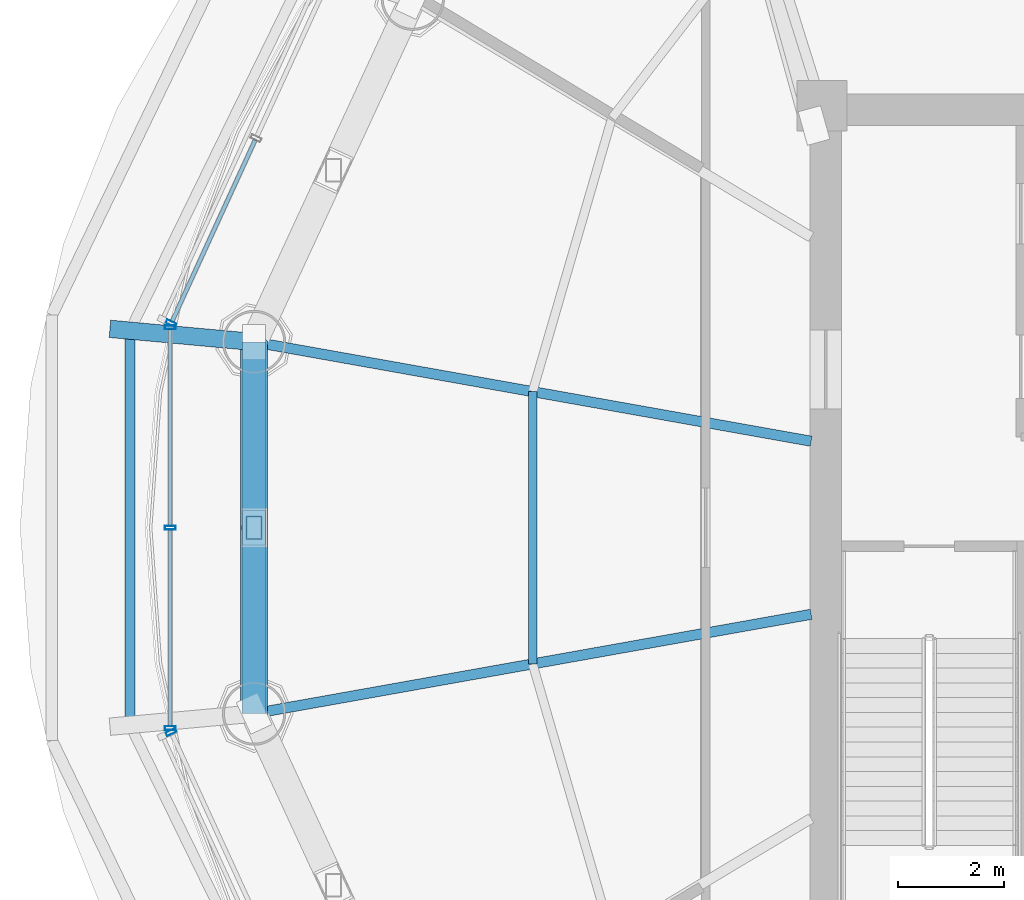
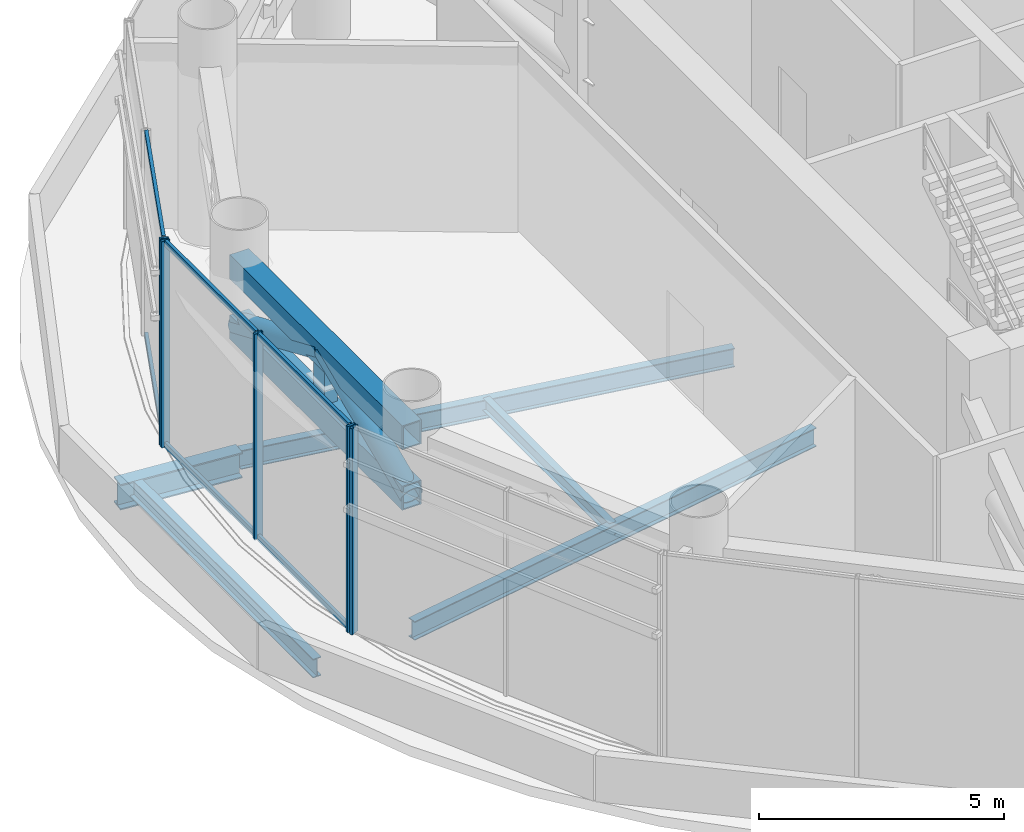
# One storey, part 7 of 25: 16 members, 5 beams, 3 elements without a shape of their own.
"""IFC4 building model written with IfcOpenShell, lengths in metres."""

from ifc_helpers import new_model, si_unit, direction, frame, origin, origin_2d, place, context, subcontext, project, spatial, hollow_rectangle, hollow_circle, i_section, extrude, source, transform, mapped, material, material_profile, profile_set, type_object, element, aggregate, save


model = new_model("IFC4")

# Units and contexts
model_context = context("Model", 3, precision=1e-05, world=origin(), true_north=direction((-0.2419218956, 0.970295726276)))
body_context = subcontext(model_context, "Body", "Model", "MODEL_VIEW")
ifc_project = project(units=[si_unit("LENGTHUNIT", "METRE"), si_unit("AREAUNIT", "SQUARE_METRE"), si_unit("VOLUMEUNIT", "CUBIC_METRE"), si_unit("PLANEANGLEUNIT", "RADIAN"), si_unit("MASSUNIT", "GRAM", prefix="KILO")], contexts=[model_context])

# Site, building, storey
site_placement = place(None, origin())
site = spatial("IfcSite", under=ifc_project, at=site_placement, CompositionType="ELEMENT")
building_placement = place(site_placement, origin())
building = spatial("IfcBuilding", under=site, at=building_placement, Name="Cobrevalo Terracotta Tower", CompositionType="ELEMENT")
storey_placement = place(building_placement, frame((0.0, 0.0, 185.800048828125)))
storey = spatial("IfcBuildingStorey", under=building, at=storey_placement, Name="L49", CompositionType="ELEMENT", Elevation=185.800048828125)

# Beams
ifc_material_1 = material(Name="Steel S355", Category="steel")
ifc_material_profile_1 = material_profile(ifc_material_1, i_section(OverallWidth=0.194091796875, OverallDepth=0.468994140625, WebThickness=0.011474609375, FlangeThickness=0.0205078125, at=origin_2d()), Name="W 460x106")
ifc_profile_set_1 = profile_set([ifc_material_profile_1], Name="Steel S355")
beam_type_1 = type_object("IfcBeamType", Name="Structural Beam W 460x106 (Steel S355)", PredefinedType="BEAM", material=ifc_profile_set_1)
for number, where, z_axis, x_axis, name in (
    (1, (18.237060546875, 30.3212890625, -0.6845703125), (0.984495741673, -0.175408479352, 0.0), (0.175408479352, 0.984495741673, 0.0), "L49 radial floor girder 08"),
    (2, (18.237060546875, 23.278564453125, -0.6845703125), (0.984491810085, 0.175430544306, 0.0), (-0.175430544306, 0.984491810085, 0.0), "L49 radial floor girder 09"),
):
    element("IfcBeam", number, at=place(storey_placement, frame(where, z_axis=z_axis, x_axis=x_axis)), inside=storey, type_object=beam_type_1, Name=name, PredefinedType="BEAM", context=body_context, shape_type="SweptSolid", body=[
        extrude(i_section(OverallWidth=0.194091796875, OverallDepth=0.468994140625, WebThickness=0.011474609375, FlangeThickness=0.0205078125, at=origin_2d()), origin(), (0.0, 0.0, 1.0), 10.72412109375),
    ])
ifc_material_profile_2 = material_profile(ifc_material_1, i_section(OverallWidth=0.3291015625, OverallDepth=0.635009765625, WebThickness=0.017822265625, FlangeThickness=0.031005859375, at=origin_2d()), Name="W 610x241")
ifc_profile_set_2 = profile_set([ifc_material_profile_2], Name="Steel S355")
beam_type_2 = type_object("IfcBeamType", Name="Structural Beam W 610x241 (Steel S355)", PredefinedType="BEAM", material=ifc_profile_set_2)
beam_1_placement = place(storey_placement, frame((15.5048828125, 30.570556640625, -0.767578125), z_axis=(0.995863978382, -0.090856681434, 0.0), x_axis=(0.090856681434, 0.995863978382, 0.0)))
element("IfcBeam", 3, at=beam_1_placement, inside=storey, type_object=beam_type_2, Name="L49 setback step-link girder 08", PredefinedType="BEAM", context=body_context, shape_type="SweptSolid", body=[
    extrude(i_section(OverallWidth=0.3291015625, OverallDepth=0.635009765625, WebThickness=0.017822265625, FlangeThickness=0.031005859375, at=origin_2d()), origin(), (0.0, 0.0, 1.0), 2.743408203125),
])
ifc_material_profile_3 = material_profile(ifc_material_1, i_section(OverallWidth=0.1650390625, OverallDepth=0.31005859375, WebThickness=0.005859375, FlangeThickness=0.009765625, at=origin_2d()), Name="W 310x38.7")
ifc_profile_set_3 = profile_set([ifc_material_profile_3], Name="Steel S355")
beam_type_3 = type_object("IfcBeamType", Name="Structural Joist W 310x38.7 (Steel S355)", PredefinedType="JOIST", material=ifc_profile_set_3)
beam_2_placement = place(storey_placement, frame((23.51611328125, 29.380859375, -0.60498046875), z_axis=(0.0, -1.0, 0.0), x_axis=(1.0, 0.0, 0.0)))
element("IfcBeam", 4, at=beam_2_placement, inside=storey, type_object=beam_type_3, Name="L49 circumferential secondary floor joist 08", PredefinedType="JOIST", context=body_context, shape_type="SweptSolid", body=[
    extrude(i_section(OverallWidth=0.1650390625, OverallDepth=0.31005859375, WebThickness=0.005859375, FlangeThickness=0.009765625, at=origin_2d()), origin(), (0.0, 0.0, 1.0), 5.16162109375),
])
ifc_material_profile_4 = material_profile(ifc_material_1, i_section(OverallWidth=0.194091796875, OverallDepth=0.468994140625, WebThickness=0.011474609375, FlangeThickness=0.0205078125, at=origin_2d()), Name="W 460x106")
ifc_profile_set_4 = profile_set([ifc_material_profile_4], Name="Steel S355")
beam_type_4 = type_object("IfcBeamType", Name="Structural Spandrel W 460x106 (Steel S355)", PredefinedType="SPANDREL", material=ifc_profile_set_4)
beam_3_placement = place(storey_placement, frame((15.88330078125, 30.535888671875, -0.6845703125), z_axis=(0.0, -1.0, 0.0), x_axis=(1.0, 0.0, 0.0)))
element("IfcBeam", 5, at=beam_3_placement, inside=storey, type_object=beam_type_4, Name="L49 perimeter ring spandrel 08", PredefinedType="SPANDREL", context=body_context, shape_type="SweptSolid", body=[
    extrude(i_section(OverallWidth=0.194091796875, OverallDepth=0.468994140625, WebThickness=0.011474609375, FlangeThickness=0.0205078125, at=origin_2d()), origin(), (0.0, 0.0, 1.0), 7.471923828125),
])

# Members
ifc_material_profile_5 = material_profile(ifc_material_1, hollow_rectangle(XDim=0.300048828125, YDim=0.449951171875, WallThickness=0.02001953125, at=origin_2d()), Name="RHS 450x300x20")
ifc_profile_set_5 = profile_set([ifc_material_profile_5], Name="Steel S355")
member_type_1 = type_object("IfcMemberType", Name="Steel Post RHS 450x300x20 (Steel S355)", PredefinedType="POST", material=ifc_profile_set_5)
shared_shape_1 = source(origin(), body_context, "Body", "SweptSolid", [
    extrude(hollow_rectangle(XDim=0.300048828125, YDim=0.449951171875, WallThickness=0.02001953125, at=origin_2d()), origin(), (0.0, 0.0, 1.0), 1.505126953125),
])
member_1_placement = place(storey_placement, frame((18.237060546875, 26.800048828125, 2.64990234375), z_axis=(0.0, 0.0, 1.0), x_axis=(1.0, 0.0, 0.0)))
element("IfcMember", 6, at=member_1_placement, inside=storey, type_object=member_type_1, Name="L49 belt truss post 08", PredefinedType="POST", context=body_context, shape_type="MappedRepresentation", body=[
    mapped(shared_shape_1, transform((0.0, 0.0, 0.0), scale=1.0)),
])
ifc_material_profile_6 = material_profile(ifc_material_1, hollow_rectangle(XDim=0.449951171875, YDim=0.60009765625, WallThickness=0.028076171875, at=origin_2d()), Name="RHS 600x450x28")
ifc_profile_set_6 = profile_set([ifc_material_profile_6], Name="Steel S355")
member_type_2 = type_object("IfcMemberType", Name="Steel Chord RHS 600x450x28 (Steel S355)", PredefinedType="CHORD", material=ifc_profile_set_6)
shared_shape_2 = source(origin(), body_context, "Body", "SweptSolid", [
    extrude(hollow_rectangle(XDim=0.449951171875, YDim=0.60009765625, WallThickness=0.028076171875, at=origin_2d()), origin(), (0.0, 0.0, 1.0), 7.042724609375),
])
for number, where, z_axis, x_axis, name in (
    (7, (18.237060546875, 30.3212890625, 2.64990234375), (0.0, -1.0, 0.0), (1.0, 0.0, 0.0), "L49 belt truss chord 08-BC"),
    (8, (18.237060546875, 30.3212890625, 4.155029296875), (0.0, -1.0, 0.0), (1.0, 0.0, 0.0), "L49 belt truss chord 08-TC"),
):
    element("IfcMember", number, at=place(storey_placement, frame(where, z_axis=z_axis, x_axis=x_axis)), inside=storey, type_object=member_type_2, Name=name, PredefinedType="CHORD", context=body_context, shape_type="MappedRepresentation", body=[
        mapped(shared_shape_2, transform((0.0, 0.0, 0.0), scale=1.0)),
    ])
ifc_material_profile_7 = material_profile(ifc_material_1, hollow_circle(Radius=0.25390625, WallThickness=0.02001953125, at=origin_2d()), Name="CHS 508x20")
ifc_profile_set_7 = profile_set([ifc_material_profile_7], Name="Steel S355")
member_type_3 = type_object("IfcMemberType", Name="Steel Brace CHS 508x20 (Steel S355)", PredefinedType="BRACE", material=ifc_profile_set_7)
shared_shape_3 = source(origin(), body_context, "Body", "SweptSolid", [
    extrude(hollow_circle(Radius=0.25390625, WallThickness=0.02001953125, at=origin_2d()), origin(), (0.0, 0.0, 1.0), 3.829345703125),
])
member_2_placement = place(storey_placement, frame((18.237060546875, 30.3212890625, 2.64990234375), z_axis=(0.0, -0.919520538835, 0.393041955343), x_axis=(1.0, 0.0, 0.0)))
element("IfcMember", 9, at=member_2_placement, inside=storey, type_object=member_type_3, Name="L49 belt truss diagonal brace 08-D1", PredefinedType="BRACE", context=body_context, shape_type="MappedRepresentation", body=[
    mapped(shared_shape_3, transform((0.0, 0.0, 0.0), scale=1.0)),
])
shared_shape_4 = source(origin(), body_context, "Body", "SweptSolid", [
    extrude(hollow_circle(Radius=0.25390625, WallThickness=0.02001953125, at=origin_2d()), origin(), (0.0, 0.0, 1.0), 3.82958984375),
])
member_3_placement = place(storey_placement, frame((18.237060546875, 23.278564453125, 2.64990234375), z_axis=(0.0, 0.919530386777, 0.393018915313), x_axis=(-1.0, 0.0, 0.0)))
element("IfcMember", 10, at=member_3_placement, inside=storey, type_object=member_type_3, Name="L49 belt truss diagonal brace 08-D2", PredefinedType="BRACE", context=body_context, shape_type="MappedRepresentation", body=[
    mapped(shared_shape_4, transform((0.0, 0.0, 0.0), scale=1.0)),
])

# Curtain wall, member
ifc_material_2 = material(Name="Anodized aluminium", Category="aluminium")
curtain_wall_type = type_object("IfcCurtainWallType", Name="Belt-truss plant acoustic weather-louvre curtain wall CW-LV", PredefinedType="NOTDEFINED", material=ifc_material_2)
curtain_wall_1_placement = place(storey_placement, origin())
curtain_wall_1 = element("IfcCurtainWall", 11, at=curtain_wall_1_placement, inside=storey, type_object=curtain_wall_type, Name="L49 curtain wall CW-LV-L49-S07", PredefinedType="NOTDEFINED")
ifc_material_profile_8 = material_profile(ifc_material_2, hollow_rectangle(XDim=0.074951171875, YDim=0.199951171875, WallThickness=0.0048828125, at=origin_2d()), Name="CWM 75x200")
ifc_profile_set_8 = profile_set([ifc_material_profile_8], Name="Anodized aluminium")
member_type_4 = type_object("IfcMemberType", Name="Lower/mid tower unitised mullion 75x200", PredefinedType="MULLION", material=ifc_profile_set_8)
shared_shape_5 = source(origin(), body_context, "Body", "SweptSolid", [
    extrude(hollow_rectangle(XDim=0.074951171875, YDim=0.199951171875, WallThickness=0.0048828125, at=origin_2d()), origin(), (0.0, 0.0, 1.0), 5.135009765625),
])
member_4_placement = place(storey_placement, frame((16.6650390625, 30.673828125, 0.0), z_axis=(0.0, 0.0, 1.0), x_axis=(-0.41672507912, -0.909032567311, 0.0)))
member_4 = element("IfcMember", 12, at=member_4_placement, type_object=member_type_4, Name="CW-LV-L49-S07 vertical mullion 03", PredefinedType="MULLION", context=body_context, shape_type="MappedRepresentation", body=[
    mapped(shared_shape_5, transform((0.0, 0.0, 0.0), scale=1.0)),
])

# Curtain wall, members
curtain_wall_2_placement = place(storey_placement, origin())
curtain_wall_2 = element("IfcCurtainWall", 13, at=curtain_wall_2_placement, inside=storey, type_object=curtain_wall_type, Name="L49 curtain wall CW-LV-L49-S08", PredefinedType="NOTDEFINED")
member_5_placement = place(storey_placement, frame((16.648193359375, 30.597412109375, 0.0), z_axis=(0.0, 0.0, 1.0), x_axis=(0.0, -1.0, 0.0)))
member_5 = element("IfcMember", 14, at=member_5_placement, type_object=member_type_4, Name="CW-LV-L49-S08 vertical mullion 01", PredefinedType="MULLION", context=body_context, shape_type="MappedRepresentation", body=[
    mapped(shared_shape_5, transform((0.0, 0.0, 0.0), scale=1.0)),
])
member_6_placement = place(storey_placement, frame((16.648193359375, 26.800048828125, 0.0), z_axis=(0.0, 0.0, 1.0), x_axis=(0.0, -1.0, 0.0)))
member_6 = element("IfcMember", 15, at=member_6_placement, type_object=member_type_4, Name="CW-LV-L49-S08 vertical mullion 02", PredefinedType="MULLION", context=body_context, shape_type="MappedRepresentation", body=[
    mapped(shared_shape_5, transform((0.0, 0.0, 0.0), scale=1.0)),
])
member_7_placement = place(storey_placement, frame((16.648193359375, 23.002685546875, 0.0), z_axis=(0.0, 0.0, 1.0), x_axis=(0.0, -1.0, 0.0)))
member_7 = element("IfcMember", 16, at=member_7_placement, type_object=member_type_4, Name="CW-LV-L49-S08 vertical mullion 03", PredefinedType="MULLION", context=body_context, shape_type="MappedRepresentation", body=[
    mapped(shared_shape_5, transform((0.0, 0.0, 0.0), scale=1.0)),
])

# Curtain wall, member
curtain_wall_3_placement = place(storey_placement, origin())
curtain_wall_3 = element("IfcCurtainWall", 17, at=curtain_wall_3_placement, inside=storey, type_object=curtain_wall_type, Name="L49 curtain wall CW-LV-L49-S09", PredefinedType="NOTDEFINED")
member_8_placement = place(storey_placement, frame((16.6650390625, 22.92626953125, 0.0), z_axis=(0.0, 0.0, 1.0), x_axis=(0.41672507912, -0.909032567311, 0.0)))
member_8 = element("IfcMember", 18, at=member_8_placement, type_object=member_type_4, Name="CW-LV-L49-S09 vertical mullion 01", PredefinedType="MULLION", context=body_context, shape_type="MappedRepresentation", body=[
    mapped(shared_shape_5, transform((0.0, 0.0, 0.0), scale=1.0)),
])
aggregate(curtain_wall_3, [member_8])

# Member
ifc_material_profile_9 = material_profile(ifc_material_2, hollow_rectangle(XDim=0.074951171875, YDim=0.14990234375, WallThickness=0.00439453125, at=origin_2d()), Name="CWT 75x150")
ifc_profile_set_9 = profile_set([ifc_material_profile_9], Name="Anodized aluminium")
member_type_5 = type_object("IfcMemberType", Name="Tower unitised aluminium transom 75x150", PredefinedType="USERDEFINED", material=ifc_profile_set_9)
shared_shape_6 = source(origin(), body_context, "Body", "SweptSolid", [
    extrude(hollow_rectangle(XDim=0.074951171875, YDim=0.14990234375, WallThickness=0.00439453125, at=origin_2d()), origin(), (0.0, 0.0, 1.0), 3.780029296875),
])
member_9_placement = place(storey_placement, frame((18.2568359375, 34.146484375, 0.050048828125), z_axis=(-0.416705859352, -0.909041377926, 0.0), x_axis=(0.909041377926, -0.416705859352, 0.0)))
member_9 = element("IfcMember", 19, at=member_9_placement, type_object=member_type_5, Name="CW-LV-L49-S07 transom B02-T1", ObjectType="TRANSOM", PredefinedType="USERDEFINED", context=body_context, shape_type="MappedRepresentation", body=[
    mapped(shared_shape_6, transform((0.0, 0.0, 0.0), scale=1.0)),
])

member_10_placement = place(storey_placement, frame((18.2568359375, 34.146484375, 5.0849609375), z_axis=(-0.416705859352, -0.909041377926, 0.0), x_axis=(0.909041377926, -0.416705859352, 0.0)))
member_10 = element("IfcMember", 20, at=member_10_placement, type_object=member_type_5, Name="CW-LV-L49-S07 transom B02-T2", ObjectType="TRANSOM", PredefinedType="USERDEFINED", context=body_context, shape_type="MappedRepresentation", body=[
    mapped(shared_shape_6, transform((0.0, 0.0, 0.0), scale=1.0)),
])

aggregate(curtain_wall_1, [member_4, member_9, member_10])

shared_shape_7 = source(origin(), body_context, "Body", "SweptSolid", [
    extrude(hollow_rectangle(XDim=0.074951171875, YDim=0.14990234375, WallThickness=0.00439453125, at=origin_2d()), origin(), (0.0, 0.0, 1.0), 3.71728515625),
])
member_11_placement = place(storey_placement, frame((16.648193359375, 30.557373046875, 0.050048828125), z_axis=(0.0, -1.0, 0.0), x_axis=(1.0, 0.0, 0.0)))
member_11 = element("IfcMember", 21, at=member_11_placement, type_object=member_type_5, Name="CW-LV-L49-S08 transom B01-T1", ObjectType="TRANSOM", PredefinedType="USERDEFINED", context=body_context, shape_type="MappedRepresentation", body=[
    mapped(shared_shape_7, transform((0.0, 0.0, 0.0), scale=1.0)),
])

member_12_placement = place(storey_placement, frame((16.648193359375, 30.557373046875, 5.0849609375), z_axis=(0.0, -1.0, 0.0), x_axis=(1.0, 0.0, 0.0)))
member_12 = element("IfcMember", 22, at=member_12_placement, type_object=member_type_5, Name="CW-LV-L49-S08 transom B01-T2", ObjectType="TRANSOM", PredefinedType="USERDEFINED", context=body_context, shape_type="MappedRepresentation", body=[
    mapped(shared_shape_7, transform((0.0, 0.0, 0.0), scale=1.0)),
])

shared_shape_8 = source(origin(), body_context, "Body", "SweptSolid", [
    extrude(hollow_rectangle(XDim=0.074951171875, YDim=0.14990234375, WallThickness=0.00439453125, at=origin_2d()), origin(), (0.0, 0.0, 1.0), 3.717529296875),
])
member_13_placement = place(storey_placement, frame((16.648193359375, 26.760009765625, 0.050048828125), z_axis=(0.0, -1.0, 0.0), x_axis=(1.0, 0.0, 0.0)))
member_13 = element("IfcMember", 23, at=member_13_placement, type_object=member_type_5, Name="CW-LV-L49-S08 transom B02-T1", ObjectType="TRANSOM", PredefinedType="USERDEFINED", context=body_context, shape_type="MappedRepresentation", body=[
    mapped(shared_shape_8, transform((0.0, 0.0, 0.0), scale=1.0)),
])

member_14_placement = place(storey_placement, frame((16.648193359375, 26.760009765625, 5.0849609375), z_axis=(0.0, -1.0, 0.0), x_axis=(1.0, 0.0, 0.0)))
member_14 = element("IfcMember", 24, at=member_14_placement, type_object=member_type_5, Name="CW-LV-L49-S08 transom B02-T2", ObjectType="TRANSOM", PredefinedType="USERDEFINED", context=body_context, shape_type="MappedRepresentation", body=[
    mapped(shared_shape_8, transform((0.0, 0.0, 0.0), scale=1.0)),
])

aggregate(curtain_wall_2, [member_5, member_6, member_7, member_11, member_12, member_13, member_14])

save(model, "model.ifc")
